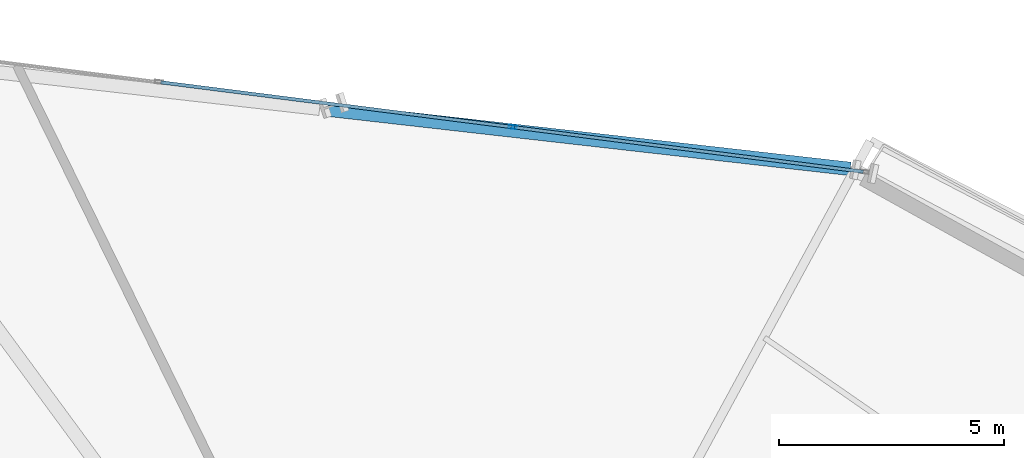
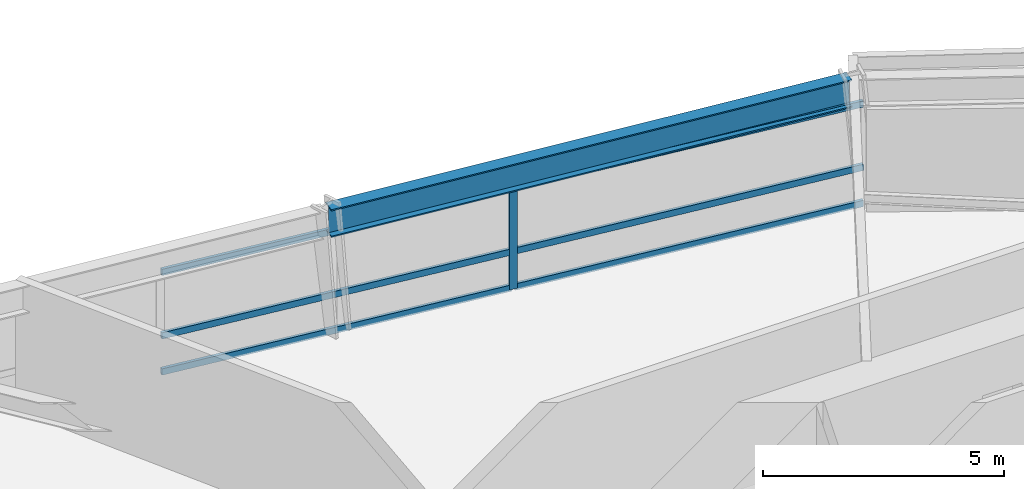
# One storey, part 10 of 22: 7 members, 1 beam, 1 element without a shape of its own.
"""IFC4 building model written with IfcOpenShell, lengths in metres."""

from ifc_helpers import new_model, si_unit, direction, frame, origin, origin_2d, place, context, subcontext, project, spatial, hollow_rectangle, i_section, extrude, source, transform, mapped, material, material_profile, profile_set, type_object, element, aggregate, save


model = new_model("IFC4")

# Units and contexts
model_context = context("Model", 3, precision=1e-05, world=origin(), true_north=direction((0.0, 1.0)))
body_context = subcontext(model_context, "Body", "Model", "MODEL_VIEW")
ifc_project = project(units=[si_unit("LENGTHUNIT", "METRE"), si_unit("AREAUNIT", "SQUARE_METRE"), si_unit("VOLUMEUNIT", "CUBIC_METRE"), si_unit("PLANEANGLEUNIT", "RADIAN"), si_unit("MASSUNIT", "GRAM", prefix="KILO")], contexts=[model_context])

# Site, building, storey
site_placement = place(None, origin())
site = spatial("IfcSite", under=ifc_project, at=site_placement, CompositionType="ELEMENT")
building_placement = place(site_placement, origin())
building = spatial("IfcBuilding", under=site, at=building_placement, Name="Olszyna Solenne Hotel", CompositionType="ELEMENT")
storey_placement = place(building_placement, frame((0.0, 0.0, 57.699951171875)))
storey = spatial("IfcBuildingStorey", under=building, at=storey_placement, Name="L14", CompositionType="ELEMENT", Elevation=57.699951171875)

# Beam
ifc_material_1 = material(Name="Steel S355J2", Category="steel")
ifc_material_profile_1 = material_profile(ifc_material_1, i_section(OverallWidth=0.300048828125, OverallDepth=0.699951171875, WebThickness=0.01708984375, FlangeThickness=0.031982421875, at=origin_2d()), Name="HEB 700", Category="load-bearing")
ifc_profile_set_1 = profile_set([ifc_material_profile_1], Name="Steel S355J2")
beam_type = type_object("IfcBeamType", Name="BM-S1", PredefinedType="BEAM", material=ifc_profile_set_1)
shared_shape_1 = source(origin(), body_context, "Body", "SweptSolid", [
    extrude(i_section(OverallWidth=0.300048828125, OverallDepth=0.699951171875, WebThickness=0.01708984375, FlangeThickness=0.031982421875, at=origin_2d()), origin(), (0.0, 0.0, 1.0), 11.764404296875),
])
beam_placement = place(storey_placement, frame((47.08544921875, 43.60498046875, 2.949951171875), z_axis=(-0.993640182288, 0.112601901153, 0.0), x_axis=(-0.112601901153, -0.993640182288, 0.0)))
element("IfcBeam", 1, at=beam_placement, inside=storey, type_object=beam_type, Name="Perimeter spandrel beam BM-S1 B-L14-0438", PredefinedType="BEAM", context=body_context, shape_type="MappedRepresentation", body=[
    mapped(shared_shape_1, transform((0.0, 0.0, 0.0), x_axis=(1.0, 0.0, 0.0), y_axis=(0.0, 1.0, 0.0), z_axis=(0.0, 0.0, 1.0), scale=1.0)),
])

# Curtain wall, members
ifc_material_2 = material(Name="Anodised bronze aluminium", Category="aluminium")
curtain_wall_type = type_object("IfcCurtainWallType", Name="CW-SYS-2", PredefinedType="NOTDEFINED", material=ifc_material_2)
curtain_wall_placement = place(storey_placement, origin())
curtain_wall = element("IfcCurtainWall", 2, at=curtain_wall_placement, inside=storey, type_object=curtain_wall_type, Name="Unitised curtain wall CW-SYS-2 CW-L14-02", PredefinedType="NOTDEFINED")
ifc_material_profile_2 = material_profile(ifc_material_2, hollow_rectangle(XDim=0.074951171875, YDim=0.179931640625, WallThickness=0.00439453125, at=origin_2d()), Name="MULL 180x75x4.5", Category="load-bearing")
ifc_profile_set_2 = profile_set([ifc_material_profile_2], Name="Anodised bronze aluminium")
member_type_1 = type_object("IfcMemberType", Name="CW-M2", PredefinedType="MULLION", material=ifc_profile_set_2)
shared_shape_2 = source(origin(), body_context, "Body", "SweptSolid", [
    extrude(hollow_rectangle(XDim=0.074951171875, YDim=0.179931640625, WallThickness=0.00439453125, at=origin_2d()), origin(), (0.0, 0.0, 1.0), 2.592041015625),
])
member_1_placement = place(storey_placement, frame((39.576171875, 44.53369140625, 0.0), z_axis=(0.0, 0.0, 1.0), x_axis=(0.126307576424, 0.991991127046, 0.0)))
member_1 = element("IfcMember", 3, at=member_1_placement, type_object=member_type_1, Name="Curtain-wall mullion CW-M2 CM-L14-02-03", PredefinedType="MULLION", context=body_context, shape_type="MappedRepresentation", body=[
    mapped(shared_shape_2, transform((0.0, 0.0, 0.0), x_axis=(1.0, 0.0, 0.0), y_axis=(0.0, 1.0, 0.0), z_axis=(0.0, 0.0, 1.0), scale=1.0)),
])
ifc_material_profile_3 = material_profile(ifc_material_2, hollow_rectangle(XDim=0.074951171875, YDim=0.159912109375, WallThickness=0.00390625, at=origin_2d()), Name="TRAN 160x75x4", Category="load-bearing")
ifc_profile_set_3 = profile_set([ifc_material_profile_3], Name="Anodised bronze aluminium")
member_type_2 = type_object("IfcMemberType", Name="CW-T1", PredefinedType="USERDEFINED", material=ifc_profile_set_3)
shared_shape_3 = source(origin(), body_context, "Body", "SweptSolid", [
    extrude(hollow_rectangle(XDim=0.074951171875, YDim=0.159912109375, WallThickness=0.00390625, at=origin_2d()), origin(), (0.0, 0.0, 1.0), 7.8212890625),
])
member_2_placement = place(storey_placement, frame((39.613525390625, 44.52880859375, 0.03759765625), z_axis=(0.991992437444, -0.12629728443, 0.0), x_axis=(0.12629728443, 0.991992437444, 0.0)))
member_2 = element("IfcMember", 4, at=member_2_placement, type_object=member_type_2, Name="Curtain-wall transom CW-T1 CT-L14-02-07", ObjectType="TRANSOM", PredefinedType="USERDEFINED", context=body_context, shape_type="MappedRepresentation", body=[
    mapped(shared_shape_3, transform((0.0, 0.0, 0.0), x_axis=(1.0, 0.0, 0.0), y_axis=(0.0, 1.0, 0.0), z_axis=(0.0, 0.0, 1.0), scale=1.0)),
])
member_3_placement = place(storey_placement, frame((39.613525390625, 44.52880859375, 0.949951171875), z_axis=(0.991992437444, -0.12629728443, 0.0), x_axis=(0.12629728443, 0.991992437444, 0.0)))
member_3 = element("IfcMember", 5, at=member_3_placement, type_object=member_type_2, Name="Curtain-wall transom CW-T1 CT-L14-02-08", ObjectType="TRANSOM", PredefinedType="USERDEFINED", context=body_context, shape_type="MappedRepresentation", body=[
    mapped(shared_shape_3, transform((0.0, 0.0, 0.0), x_axis=(1.0, 0.0, 0.0), y_axis=(0.0, 1.0, 0.0), z_axis=(0.0, 0.0, 1.0), scale=1.0)),
])
member_4_placement = place(storey_placement, frame((39.613525390625, 44.52880859375, 2.554443359375), z_axis=(0.991992437444, -0.12629728443, 0.0), x_axis=(0.12629728443, 0.991992437444, 0.0)))
member_4 = element("IfcMember", 6, at=member_4_placement, type_object=member_type_2, Name="Curtain-wall transom CW-T1 CT-L14-02-09", ObjectType="TRANSOM", PredefinedType="USERDEFINED", context=body_context, shape_type="MappedRepresentation", body=[
    mapped(shared_shape_3, transform((0.0, 0.0, 0.0), x_axis=(1.0, 0.0, 0.0), y_axis=(0.0, 1.0, 0.0), z_axis=(0.0, 0.0, 1.0), scale=1.0)),
])
shared_shape_4 = source(origin(), body_context, "Body", "SweptSolid", [
    extrude(hollow_rectangle(XDim=0.074951171875, YDim=0.159912109375, WallThickness=0.00390625, at=origin_2d()), origin(), (0.0, 0.0, 1.0), 7.85888671875),
])
member_5_placement = place(storey_placement, frame((31.7431640625, 45.531005859375, 0.03759765625), z_axis=(0.991990411353, -0.126313197187, 0.0), x_axis=(0.126313197187, 0.991990411353, 0.0)))
member_5 = element("IfcMember", 7, at=member_5_placement, type_object=member_type_2, Name="Curtain-wall transom CW-T1 CT-L14-02-04", ObjectType="TRANSOM", PredefinedType="USERDEFINED", context=body_context, shape_type="MappedRepresentation", body=[
    mapped(shared_shape_4, transform((0.0, 0.0, 0.0), x_axis=(1.0, 0.0, 0.0), y_axis=(0.0, 1.0, 0.0), z_axis=(0.0, 0.0, 1.0), scale=1.0)),
])
member_6_placement = place(storey_placement, frame((31.7431640625, 45.531005859375, 0.949951171875), z_axis=(0.991990411353, -0.126313197187, 0.0), x_axis=(0.126313197187, 0.991990411353, 0.0)))
member_6 = element("IfcMember", 8, at=member_6_placement, type_object=member_type_2, Name="Curtain-wall transom CW-T1 CT-L14-02-05", ObjectType="TRANSOM", PredefinedType="USERDEFINED", context=body_context, shape_type="MappedRepresentation", body=[
    mapped(shared_shape_4, transform((0.0, 0.0, 0.0), x_axis=(1.0, 0.0, 0.0), y_axis=(0.0, 1.0, 0.0), z_axis=(0.0, 0.0, 1.0), scale=1.0)),
])
member_7_placement = place(storey_placement, frame((31.7431640625, 45.531005859375, 2.554443359375), z_axis=(0.991990411353, -0.126313197187, 0.0), x_axis=(0.126313197187, 0.991990411353, 0.0)))
member_7 = element("IfcMember", 9, at=member_7_placement, type_object=member_type_2, Name="Curtain-wall transom CW-T1 CT-L14-02-06", ObjectType="TRANSOM", PredefinedType="USERDEFINED", context=body_context, shape_type="MappedRepresentation", body=[
    mapped(shared_shape_4, transform((0.0, 0.0, 0.0), x_axis=(1.0, 0.0, 0.0), y_axis=(0.0, 1.0, 0.0), z_axis=(0.0, 0.0, 1.0), scale=1.0)),
])
aggregate(curtain_wall, [member_1, member_5, member_6, member_7, member_2, member_3, member_4])

save(model, "model.ifc")
